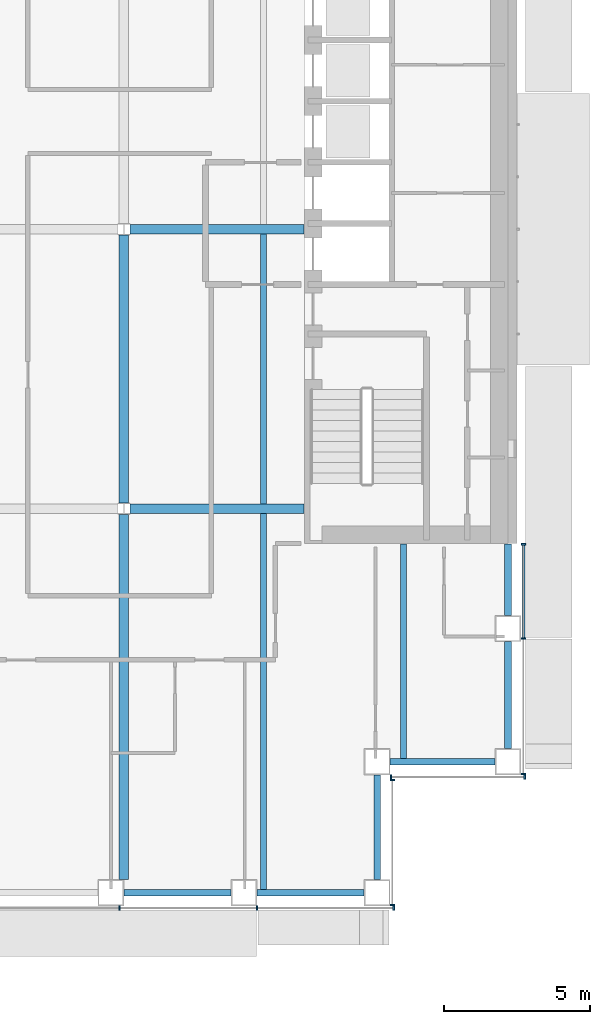
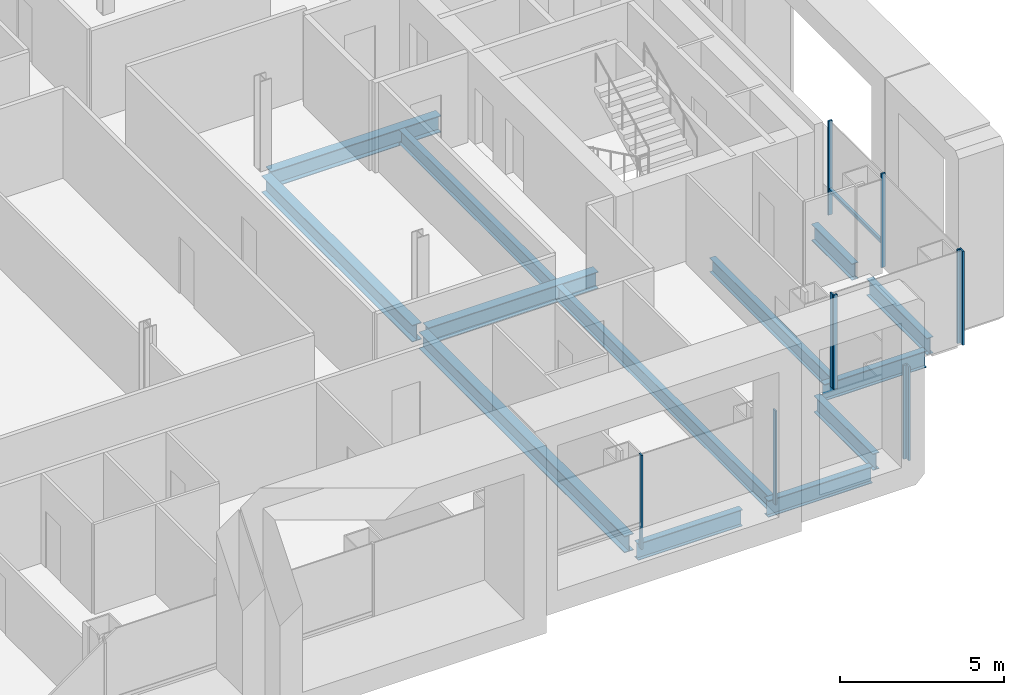
# One storey, part 4 of 20: 13 beams, 11 members, 4 elements without a shape of their own.
"""IFC4 building model written with IfcOpenShell, lengths in metres."""

from ifc_helpers import new_model, si_unit, direction, frame, origin, origin_2d, place, context, subcontext, project, spatial, rectangle, i_section, extrude, material, material_profile, profile_set, type_object, element, aggregate, save


model = new_model("IFC4")

# Units and contexts
model_context = context("Model", 3, precision=1e-05, world=origin(), true_north=direction((0.0, 1.0)))
body_context = subcontext(model_context, "Body", "Model", "MODEL_VIEW")
ifc_project = project(units=[si_unit("LENGTHUNIT", "METRE"), si_unit("AREAUNIT", "SQUARE_METRE"), si_unit("VOLUMEUNIT", "CUBIC_METRE"), si_unit("PLANEANGLEUNIT", "RADIAN"), si_unit("MASSUNIT", "GRAM", prefix="KILO")], contexts=[model_context])

# Site, building, storey
site_placement = place(None, origin())
site = spatial("IfcSite", under=ifc_project, at=site_placement, CompositionType="ELEMENT")
building_placement = place(site_placement, origin())
building = spatial("IfcBuilding", under=site, at=building_placement, Name="Cobrizo Arcos Hotel Tower", CompositionType="ELEMENT")
storey_placement = place(building_placement, frame((0.0, 0.0, 110.0)))
storey = spatial("IfcBuildingStorey", under=building, at=storey_placement, Name="L27", CompositionType="ELEMENT", Elevation=110.0)

# Curtain wall, members
ifc_material_1 = material(Name="Aluminium 6063-T6 anodised bronze", Category="aluminium")
curtain_wall_type = type_object("IfcCurtainWallType", Name="CW-A guest facade", PredefinedType="NOTDEFINED", material=ifc_material_1)
curtain_wall_1_placement = place(storey_placement, origin())
curtain_wall_1 = element("IfcCurtainWall", 1, at=curtain_wall_1_placement, inside=storey, type_object=curtain_wall_type, Name="CW-A L27 S face", PredefinedType="NOTDEFINED")
ifc_material_profile_1 = material_profile(ifc_material_1, rectangle(XDim=0.14990234375, YDim=0.06005859375, at=origin_2d()), Name="CW-A mullion 150x60")
ifc_profile_set_1 = profile_set([ifc_material_profile_1], Name="Aluminium 6063-T6 anodised bronze")
member_type_1 = type_object("IfcMemberType", Name="CW-A mullion 150x60", PredefinedType="MULLION", material=ifc_profile_set_1)
member_1_placement = place(storey_placement, frame((9.449951171875, -23.324951171875, 0.0), z_axis=(0.0, 0.0, 1.0), x_axis=(0.0, -1.0, 0.0)))
member_1 = element("IfcMember", 2, at=member_1_placement, type_object=member_type_1, Name="CW-A mullion 7", PredefinedType="MULLION", context=body_context, shape_type="SweptSolid", body=[
    extrude(rectangle(XDim=0.14990234375, YDim=0.06005859375, at=origin_2d()), origin(), (0.0, 0.0, 1.0), 3.5),
])
member_2_placement = place(storey_placement, frame((14.175048828125, -23.324951171875, 0.0), z_axis=(0.0, 0.0, 1.0), x_axis=(0.0, -1.0, 0.0)))
member_2 = element("IfcMember", 3, at=member_2_placement, type_object=member_type_1, Name="CW-A mullion 8", PredefinedType="MULLION", context=body_context, shape_type="SweptSolid", body=[
    extrude(rectangle(XDim=0.14990234375, YDim=0.06005859375, at=origin_2d()), origin(), (0.0, 0.0, 1.0), 3.5),
])
member_3_placement = place(storey_placement, frame((18.8701171875, -23.324951171875, 0.0), z_axis=(0.0, 0.0, 1.0), x_axis=(0.0, -1.0, 0.0)))
member_3 = element("IfcMember", 4, at=member_3_placement, type_object=member_type_1, Name="CW-A mullion 9", PredefinedType="MULLION", context=body_context, shape_type="SweptSolid", body=[
    extrude(rectangle(XDim=0.14990234375, YDim=0.06005859375, at=origin_2d()), origin(), (0.0, 0.0, 1.0), 3.5),
])
aggregate(curtain_wall_1, [member_1, member_2, member_3])

curtain_wall_2_placement = place(storey_placement, origin())
curtain_wall_2 = element("IfcCurtainWall", 5, at=curtain_wall_2_placement, inside=storey, type_object=curtain_wall_type, Name="CW-A L27 E face", PredefinedType="NOTDEFINED")
member_4_placement = place(storey_placement, frame((18.824951171875, -23.219970703125, 0.0), z_axis=(0.0, 0.0, 1.0), x_axis=(1.0, 0.0, 0.0)))
member_4 = element("IfcMember", 6, at=member_4_placement, type_object=member_type_1, Name="CW-A mullion 1", PredefinedType="MULLION", context=body_context, shape_type="SweptSolid", body=[
    extrude(rectangle(XDim=0.14990234375, YDim=0.06005859375, at=origin_2d()), origin(), (0.0, 0.0, 1.0), 3.5),
])
member_5_placement = place(storey_placement, frame((18.824951171875, -18.929931640625, 0.0), z_axis=(0.0, 0.0, 1.0), x_axis=(1.0, 0.0, 0.0)))
member_5 = element("IfcMember", 7, at=member_5_placement, type_object=member_type_1, Name="CW-A mullion 2", PredefinedType="MULLION", context=body_context, shape_type="SweptSolid", body=[
    extrude(rectangle(XDim=0.14990234375, YDim=0.06005859375, at=origin_2d()), origin(), (0.0, 0.0, 1.0), 3.5),
])
aggregate(curtain_wall_2, [member_4, member_5])

curtain_wall_3_placement = place(storey_placement, origin())
curtain_wall_3 = element("IfcCurtainWall", 8, at=curtain_wall_3_placement, inside=storey, type_object=curtain_wall_type, Name="CW-A L27 S face", PredefinedType="NOTDEFINED")
member_6_placement = place(storey_placement, frame((18.780029296875, -18.824951171875, 0.0), z_axis=(0.0, 0.0, 1.0), x_axis=(0.0, -1.0, 0.0)))
member_6 = element("IfcMember", 9, at=member_6_placement, type_object=member_type_1, Name="CW-A mullion 1", PredefinedType="MULLION", context=body_context, shape_type="SweptSolid", body=[
    extrude(rectangle(XDim=0.14990234375, YDim=0.06005859375, at=origin_2d()), origin(), (0.0, 0.0, 1.0), 3.5),
])
member_7_placement = place(storey_placement, frame((23.3701171875, -18.824951171875, 0.0), z_axis=(0.0, 0.0, 1.0), x_axis=(0.0, -1.0, 0.0)))
member_7 = element("IfcMember", 10, at=member_7_placement, type_object=member_type_1, Name="CW-A mullion 2", PredefinedType="MULLION", context=body_context, shape_type="SweptSolid", body=[
    extrude(rectangle(XDim=0.14990234375, YDim=0.06005859375, at=origin_2d()), origin(), (0.0, 0.0, 1.0), 3.5),
])
aggregate(curtain_wall_3, [member_6, member_7])

curtain_wall_4_placement = place(storey_placement, origin())
curtain_wall_4 = element("IfcCurtainWall", 11, at=curtain_wall_4_placement, inside=storey, type_object=curtain_wall_type, Name="CW-A L27 E face", PredefinedType="NOTDEFINED")
member_8_placement = place(storey_placement, frame((23.324951171875, -18.719970703125, 0.0), z_axis=(0.0, 0.0, 1.0), x_axis=(1.0, 0.0, 0.0)))
member_8 = element("IfcMember", 12, at=member_8_placement, type_object=member_type_1, Name="CW-A mullion 1", PredefinedType="MULLION", context=body_context, shape_type="SweptSolid", body=[
    extrude(rectangle(XDim=0.14990234375, YDim=0.06005859375, at=origin_2d()), origin(), (0.0, 0.0, 1.0), 3.5),
])
member_9_placement = place(storey_placement, frame((23.324951171875, -14.0625, 0.0), z_axis=(0.0, 0.0, 1.0), x_axis=(1.0, 0.0, 0.0)))
member_9 = element("IfcMember", 13, at=member_9_placement, type_object=member_type_1, Name="CW-A mullion 2", PredefinedType="MULLION", context=body_context, shape_type="SweptSolid", body=[
    extrude(rectangle(XDim=0.14990234375, YDim=0.06005859375, at=origin_2d()), origin(), (0.0, 0.0, 1.0), 3.5),
])
member_10_placement = place(storey_placement, frame((23.324951171875, -10.830078125, 0.0), z_axis=(0.0, 0.0, 1.0), x_axis=(1.0, 0.0, 0.0)))
member_10 = element("IfcMember", 14, at=member_10_placement, type_object=member_type_1, Name="CW-A mullion 3", PredefinedType="MULLION", context=body_context, shape_type="SweptSolid", body=[
    extrude(rectangle(XDim=0.14990234375, YDim=0.06005859375, at=origin_2d()), origin(), (0.0, 0.0, 1.0), 3.5),
])
ifc_material_profile_2 = material_profile(ifc_material_1, rectangle(XDim=0.10009765625, YDim=0.1201171875, at=origin_2d()), Name="CW-A transom 120x100")
ifc_profile_set_2 = profile_set([ifc_material_profile_2], Name="Aluminium 6063-T6 anodised bronze")
member_type_2 = type_object("IfcMemberType", Name="CW-A transom 120x100", PredefinedType="USERDEFINED", material=ifc_profile_set_2)
member_11_placement = place(storey_placement, frame((23.324951171875, -14.032470703125, 0.929931640625), z_axis=(0.0, 1.0, 0.0), x_axis=(-1.0, 0.0, 0.0)))
member_11 = element("IfcMember", 15, at=member_11_placement, type_object=member_type_2, Name="CW-A transom 1054", ObjectType="TRANSOM", PredefinedType="USERDEFINED", context=body_context, shape_type="SweptSolid", body=[
    extrude(rectangle(XDim=0.10009765625, YDim=0.1201171875, at=origin_2d()), origin(), (0.0, 0.0, 1.0), 3.17236328125),
])
aggregate(curtain_wall_4, [member_8, member_9, member_10, member_11])

# Beams
ifc_material_2 = material(Name="Steel ASTM A992 Grade 50", Category="steel")
ifc_material_profile_3 = material_profile(ifc_material_2, i_section(OverallWidth=0.209228515625, OverallDepth=0.533447265625, WebThickness=0.01025390625, FlangeThickness=0.015625, at=origin_2d()), Name="W21X62")
ifc_profile_set_3 = profile_set([ifc_material_profile_3], Name="Steel ASTM A992 Grade 50")
beam_type_1 = type_object("IfcBeamType", Name="W21X62 joist", PredefinedType="JOIST", material=ifc_profile_set_3)
beam_1_placement = place(storey_placement, frame((14.39990234375, -22.7099609375, -0.416748046875), z_axis=(0.0, 1.0, 0.0), x_axis=(-1.0, 0.0, 0.0)))
element("IfcBeam", 16, at=beam_1_placement, inside=storey, type_object=beam_type_1, Name="Floor joist J1, L27, no. 015", PredefinedType="JOIST", context=body_context, shape_type="SweptSolid", body=[
    extrude(i_section(OverallWidth=0.209228515625, OverallDepth=0.533447265625, WebThickness=0.01025390625, FlangeThickness=0.015625, at=origin_2d()), origin(), (0.0, 0.0, 1.0), 12.946044921875),
])
beam_2_placement = place(storey_placement, frame((14.39990234375, -9.43603515625, -0.416748046875), z_axis=(0.0, 1.0, 0.0), x_axis=(-1.0, 0.0, 0.0)))
element("IfcBeam", 17, at=beam_2_placement, inside=storey, type_object=beam_type_1, Name="Floor joist J1, L27, no. 016", PredefinedType="JOIST", context=body_context, shape_type="SweptSolid", body=[
    extrude(i_section(OverallWidth=0.209228515625, OverallDepth=0.533447265625, WebThickness=0.01025390625, FlangeThickness=0.015625, at=origin_2d()), origin(), (0.0, 0.0, 1.0), 9.272216796875),
])
beam_3_placement = place(storey_placement, frame((19.199951171875, -18.2099609375, -0.416748046875), z_axis=(0.0, 1.0, 0.0), x_axis=(-1.0, 0.0, 0.0)))
element("IfcBeam", 18, at=beam_3_placement, inside=storey, type_object=beam_type_1, Name="Floor joist J1, L27, no. 019", PredefinedType="JOIST", context=body_context, shape_type="SweptSolid", body=[
    extrude(i_section(OverallWidth=0.209228515625, OverallDepth=0.533447265625, WebThickness=0.01025390625, FlangeThickness=0.015625, at=origin_2d()), origin(), (0.0, 0.0, 1.0), 7.39990234375),
])
ifc_material_profile_4 = material_profile(ifc_material_2, i_section(OverallWidth=0.32763671875, OverallDepth=0.622314453125, WebThickness=0.015380859375, FlangeThickness=0.0244140625, at=origin_2d()), Name="W24X131")
ifc_profile_set_4 = profile_set([ifc_material_profile_4], Name="Steel ASTM A992 Grade 50")
beam_type_2 = type_object("IfcBeamType", Name="W24X131 girder", PredefinedType="BEAM", material=ifc_profile_set_4)
for number, where, z_axis, x_axis, name in (
    (19, (9.79931640625, -9.60009765625, -0.461181640625), (1.0, 0.0, 0.0), (0.0, 1.0, 0.0), "Floor girder G1, L27, no. 004"),
    (20, (9.79931640625, 0.0, -0.461181640625), (1.0, 0.0, 0.0), (0.0, 1.0, 0.0), "Floor girder G1, L27, no. 008"),
):
    element("IfcBeam", number, at=place(storey_placement, frame(where, z_axis=z_axis, x_axis=x_axis)), inside=storey, type_object=beam_type_2, Name=name, PredefinedType="BEAM", context=body_context, shape_type="SweptSolid", body=[
        extrude(i_section(OverallWidth=0.32763671875, OverallDepth=0.622314453125, WebThickness=0.015380859375, FlangeThickness=0.0244140625, at=origin_2d()), origin(), (0.0, 0.0, 1.0), 5.99072265625),
    ])
beam_4_placement = place(storey_placement, frame((9.60009765625, -22.35009765625, -0.461181640625), z_axis=(0.0, 1.0, 0.0), x_axis=(-1.0, 0.0, 0.0)))
element("IfcBeam", 21, at=beam_4_placement, inside=storey, type_object=beam_type_2, Name="Floor girder G1, L27, no. 021", PredefinedType="BEAM", context=body_context, shape_type="SweptSolid", body=[
    extrude(i_section(OverallWidth=0.32763671875, OverallDepth=0.622314453125, WebThickness=0.015380859375, FlangeThickness=0.0244140625, at=origin_2d()), origin(), (0.0, 0.0, 1.0), 12.55078125),
])
beam_5_placement = place(storey_placement, frame((9.60009765625, -9.400634765625, -0.461181640625), z_axis=(0.0, 1.0, 0.0), x_axis=(-1.0, 0.0, 0.0)))
element("IfcBeam", 22, at=beam_5_placement, inside=storey, type_object=beam_type_2, Name="Floor girder G1, L27, no. 022", PredefinedType="BEAM", context=body_context, shape_type="SweptSolid", body=[
    extrude(i_section(OverallWidth=0.32763671875, OverallDepth=0.622314453125, WebThickness=0.015380859375, FlangeThickness=0.0244140625, at=origin_2d()), origin(), (0.0, 0.0, 1.0), 9.201171875),
])
ifc_material_profile_5 = material_profile(ifc_material_2, i_section(OverallWidth=0.23046875, OverallDepth=0.6171875, WebThickness=0.01318359375, FlangeThickness=0.022216796875, at=origin_2d()), Name="W24X94")
ifc_profile_set_5 = profile_set([ifc_material_profile_5], Name="Steel ASTM A992 Grade 50")
beam_type_3 = type_object("IfcBeamType", Name="W24X94 spandrel", PredefinedType="SPANDREL", material=ifc_profile_set_5)
beam_6_placement = place(storey_placement, frame((9.60009765625, -22.800048828125, -0.45849609375), z_axis=(1.0, 0.0, 0.0), x_axis=(0.0, 1.0, 0.0)))
element("IfcBeam", 23, at=beam_6_placement, inside=storey, type_object=beam_type_3, Name="Spandrel beam W24X94, L27, no. 007", PredefinedType="SPANDREL", context=body_context, shape_type="SweptSolid", body=[
    extrude(i_section(OverallWidth=0.23046875, OverallDepth=0.6171875, WebThickness=0.01318359375, FlangeThickness=0.022216796875, at=origin_2d()), origin(), (0.0, 0.0, 1.0), 3.6748046875),
])
beam_7_placement = place(storey_placement, frame((14.175048828125, -22.800048828125, -0.45849609375), z_axis=(1.0, 0.0, 0.0), x_axis=(0.0, 1.0, 0.0)))
element("IfcBeam", 24, at=beam_7_placement, inside=storey, type_object=beam_type_3, Name="Spandrel beam W24X94, L27, no. 008", PredefinedType="SPANDREL", context=body_context, shape_type="SweptSolid", body=[
    extrude(i_section(OverallWidth=0.23046875, OverallDepth=0.6171875, WebThickness=0.01318359375, FlangeThickness=0.022216796875, at=origin_2d()), origin(), (0.0, 0.0, 1.0), 3.675048828125),
])
for number, where, z_axis, x_axis, name in (
    (25, (18.300048828125, -22.35009765625, -0.45849609375), (0.0, 1.0, 0.0), (-1.0, 0.0, 0.0), "Spandrel beam W24X94, L27, no. 009"),
    (26, (18.75, -18.300048828125, -0.45849609375), (1.0, 0.0, 0.0), (0.0, 1.0, 0.0), "Spandrel beam W24X94, L27, no. 010"),
):
    element("IfcBeam", number, at=place(storey_placement, frame(where, z_axis=z_axis, x_axis=x_axis)), inside=storey, type_object=beam_type_3, Name=name, PredefinedType="SPANDREL", context=body_context, shape_type="SweptSolid", body=[
        extrude(i_section(OverallWidth=0.23046875, OverallDepth=0.6171875, WebThickness=0.01318359375, FlangeThickness=0.022216796875, at=origin_2d()), origin(), (0.0, 0.0, 1.0), 3.60009765625),
    ])
beam_8_placement = place(storey_placement, frame((22.800048828125, -17.85009765625, -0.45849609375), z_axis=(0.0, 1.0, 0.0), x_axis=(-1.0, 0.0, 0.0)))
element("IfcBeam", 27, at=beam_8_placement, inside=storey, type_object=beam_type_3, Name="Spandrel beam W24X94, L27, no. 011", PredefinedType="SPANDREL", context=body_context, shape_type="SweptSolid", body=[
    extrude(i_section(OverallWidth=0.23046875, OverallDepth=0.6171875, WebThickness=0.01318359375, FlangeThickness=0.022216796875, at=origin_2d()), origin(), (0.0, 0.0, 1.0), 3.675048828125),
])
beam_9_placement = place(storey_placement, frame((22.800048828125, -13.27490234375, -0.45849609375), z_axis=(0.0, 1.0, 0.0), x_axis=(-1.0, 0.0, 0.0)))
element("IfcBeam", 28, at=beam_9_placement, inside=storey, type_object=beam_type_3, Name="Spandrel beam W24X94, L27, no. 012", PredefinedType="SPANDREL", context=body_context, shape_type="SweptSolid", body=[
    extrude(i_section(OverallWidth=0.23046875, OverallDepth=0.6171875, WebThickness=0.01318359375, FlangeThickness=0.022216796875, at=origin_2d()), origin(), (0.0, 0.0, 1.0), 2.46484375),
])

save(model, "model.ifc")
